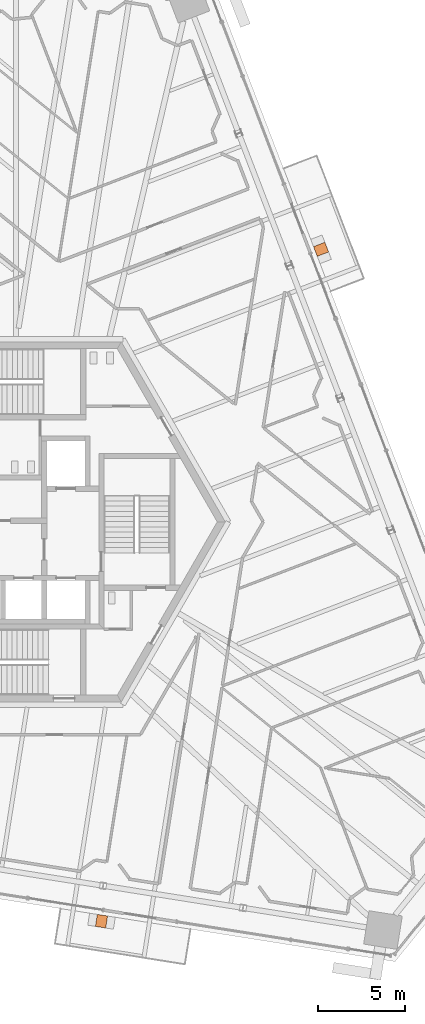
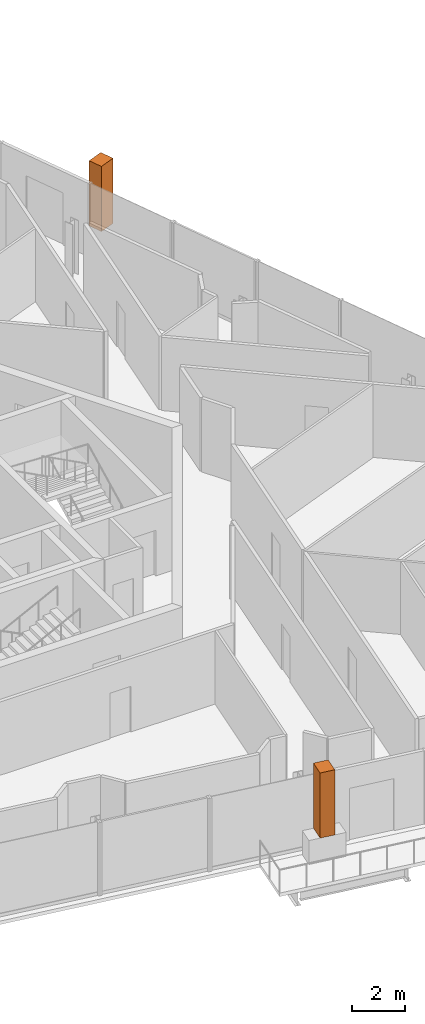
# One storey, part 23 of 23: 2 geographic elements.
"""IFC4 building model written with IfcOpenShell, lengths in metres."""

import ifcopenshell
import ifcopenshell.guid

model = None  # the IFC model being written
_history = None  # IfcOwnerHistory: only IFC2X3 demands one
_inside = {}  # id of a spatial element -> (the spatial element, [elements in it])
_under = {}  # id of a project, library or spatial element -> (it, [spatial elements below it])
_declared = {}  # id of a project -> (the project, [libraries it declares])
_typed = {}  # id of a type object -> (the type object, [elements of that type])
_made_of = {}  # id of a material, layer set ... -> (it, [elements and type objects made of it])


def new_model(schema):
    """Start an empty IFC model of exactly this schema.

    Asked for "IFC4X3", IfcOpenShell would pick the latest addendum, in which some entities
    have other attributes; the version numbers below select the first issue.
    IFC2X3 requires an IfcOwnerHistory on every rooted entity: one is made here for all.
    """
    global model, _history
    if schema == "IFC4X3":
        model = ifcopenshell.file(schema_version=(4, 3, 0, 0))
    else:
        model = ifcopenshell.file(schema=schema)
    _inside.clear()
    _under.clear()
    _declared.clear()
    _typed.clear()
    _made_of.clear()
    _history = None
    if model.schema == "IFC2X3":
        org = make("IfcOrganization", Name="unknown")
        user = make(
            "IfcPersonAndOrganization",
            ThePerson=make("IfcPerson", FamilyName="unknown"),
            TheOrganization=org,
        )
        app = make(
            "IfcApplication",
            ApplicationDeveloper=org,
            Version="unknown",
            ApplicationFullName="unknown",
            ApplicationIdentifier="unknown",
        )
        _history = make(
            "IfcOwnerHistory",
            OwningUser=user,
            OwningApplication=app,
            ChangeAction="ADDED",
            CreationDate=0,
        )
    return model


def make(cls, **values):
    """One entity of the class cls with the attributes given. An attribute that is None is left unset."""
    return model.create_entity(
        cls, **{name: value for name, value in values.items() if value is not None}
    )


def rooted(cls, **values):
    """An entity with a GlobalId (a new one), such as an element, a storey or a relation."""
    return make(cls, GlobalId=ifcopenshell.guid.new(), OwnerHistory=_history, **values)


def si_unit(unit_type, name, prefix=None):
    """IfcSIUnit, for example si_unit("LENGTHUNIT", "METRE", prefix="MILLI")."""
    return make("IfcSIUnit", UnitType=unit_type, Prefix=prefix, Name=name)


def assignment(units):
    """IfcUnitAssignment: the units of a project."""
    return None if units is None else make("IfcUnitAssignment", Units=units)


def point(xyz):
    """IfcCartesianPoint."""
    return None if xyz is None else make("IfcCartesianPoint", Coordinates=xyz)


def direction(xyz):
    """IfcDirection."""
    return None if xyz is None else make("IfcDirection", DirectionRatios=xyz)


def frame(location, z_axis=None, x_axis=None):
    """IfcAxis2Placement3D, a coordinate frame: its origin and axes. An axis left out is left unset."""
    return make(
        "IfcAxis2Placement3D",
        Location=point(location),
        Axis=direction(z_axis),
        RefDirection=direction(x_axis),
    )


def frame_2d(location, x_axis=None):
    """IfcAxis2Placement2D, a coordinate frame in the plane: its origin and x axis."""
    return make(
        "IfcAxis2Placement2D", Location=point(location), RefDirection=direction(x_axis)
    )


def origin():
    """The frame at (0, 0, 0) with its axes left unset."""
    return frame((0.0, 0.0, 0.0))


def origin_2d():
    """The frame at (0, 0) in the plane with its x axis left unset."""
    return frame_2d((0.0, 0.0))


def place(relative_to, where):
    """IfcLocalPlacement: puts the frame where relative to a parent placement (None: the world)."""
    return make(
        "IfcLocalPlacement", PlacementRelTo=relative_to, RelativePlacement=where
    )


def context(
    kind, dimensions, precision=None, world=None, true_north=None, identifier=None
):
    """IfcGeometricRepresentationContext, for example the 3D "Model" context."""
    return make(
        "IfcGeometricRepresentationContext",
        ContextIdentifier=identifier,
        ContextType=kind,
        CoordinateSpaceDimension=dimensions,
        Precision=precision,
        WorldCoordinateSystem=world,
        TrueNorth=true_north,
    )


def subcontext(parent, identifier, kind, view, scale=None):
    """IfcGeometricRepresentationSubContext, for example "Body" below "Model"."""
    return make(
        "IfcGeometricRepresentationSubContext",
        ContextIdentifier=identifier,
        ContextType=kind,
        ParentContext=parent,
        TargetScale=scale,
        TargetView=view,
    )


def project(units=None, contexts=None):
    """IfcProject with its units and contexts."""
    return rooted(
        "IfcProject",
        Name="project",
        RepresentationContexts=contexts,
        UnitsInContext=assignment(units),
    )


def spatial(cls, under=None, at=None, **own):
    """A site, building, storey or space (cls), placed at a placement, below another one or the project."""
    s = rooted(cls, ObjectPlacement=at, **own)
    if under is not None:
        _under.setdefault(under.id(), (under, []))[1].append(s)
    return s


def profile(cls, at=None, kind="AREA", **sizes):
    """A parametric profile (cls). Its sizes go by their IFC names, for example OverallWidth=200.0."""
    return make(cls, ProfileType=kind, Position=at, **sizes)


def rectangle(**sizes):
    """IfcRectangleProfileDef."""
    return profile("IfcRectangleProfileDef", **sizes)


def extrude(swept, where, along, depth):
    """IfcExtrudedAreaSolid: the profile swept, set in the frame where, extruded along a direction by depth."""
    return make(
        "IfcExtrudedAreaSolid",
        SweptArea=swept,
        Position=where,
        ExtrudedDirection=direction(along),
        Depth=depth,
    )


def shape(context_of_items, identifier, shape_type, items):
    """IfcShapeRepresentation: the items that make up one representation, for example the "Body"."""
    return make(
        "IfcShapeRepresentation",
        ContextOfItems=context_of_items,
        RepresentationIdentifier=identifier,
        RepresentationType=shape_type,
        Items=items,
    )


def source(mapping_origin, context_of_items, identifier, shape_type, items):
    """IfcRepresentationMap: a shape defined once, which mapped items show again and again."""
    return make(
        "IfcRepresentationMap",
        MappingOrigin=mapping_origin,
        MappedRepresentation=shape(context_of_items, identifier, shape_type, items),
    )


def transform(
    local_origin,
    x_axis=None,
    y_axis=None,
    z_axis=None,
    scale=None,
    scale2=None,
    scale3=None,
    uniform=True,
):
    """IfcCartesianTransformationOperator3D, or its non-uniform kind. x_axis, y_axis, z_axis: its Axis1, 2, 3."""
    if uniform:
        return make(
            "IfcCartesianTransformationOperator3D",
            Axis1=direction(x_axis),
            Axis2=direction(y_axis),
            LocalOrigin=point(local_origin),
            Scale=scale,
            Axis3=direction(z_axis),
        )
    return make(
        "IfcCartesianTransformationOperator3DnonUniform",
        Axis1=direction(x_axis),
        Axis2=direction(y_axis),
        LocalOrigin=point(local_origin),
        Scale=scale,
        Axis3=direction(z_axis),
        Scale2=scale2,
        Scale3=scale3,
    )


def mapped(mapping_source, mapping_target):
    """IfcMappedItem: shows the shape of a source again, moved by a transform."""
    return make(
        "IfcMappedItem", MappingSource=mapping_source, MappingTarget=mapping_target
    )


def material(Name=None, Category=None):
    """IfcMaterial."""
    return make("IfcMaterial", Name=Name, Category=Category)


def made_of(thing, what):
    """Note that an element or type object is made of a material, layer set ...; save() writes the relation."""
    if what is not None:
        _made_of.setdefault(what.id(), (what, []))[1].append(thing)
    return thing


def type_object(cls, material=None, **own):
    """A type object (cls), such as IfcWallType, which elements share."""
    return made_of(rooted(cls, **own), material)


def element(
    cls,
    number,
    at=None,
    inside=None,
    cuts=None,
    type_object=None,
    material=None,
    context=None,
    identifier="Body",
    shape_type=None,
    held_by="IfcProductDefinitionShape",
    body=None,
    shapes=None,
    **own,
):
    """One element of the class cls, such as IfcWall. Its Tag is "e" and its number.

    at: its placement. inside: the storey or other place that contains it. cuts: it is an
    opening in that element (IfcRelVoidsElement). A single representation is given by context,
    identifier, shape_type and body (its items); several are given by shapes. held_by: the class
    of the entity that holds the representations. save() writes the other relations.
    """
    e = rooted(cls, Tag="e%d" % number, ObjectPlacement=at, **own)
    if body is not None:
        shapes = [shape(context, identifier, shape_type, body)]
    if shapes is not None:
        e.Representation = make(held_by, Representations=shapes)
    if inside is not None:
        _inside.setdefault(inside.id(), (inside, []))[1].append(e)
    if cuts is not None:
        rooted(
            "IfcRelVoidsElement", RelatingBuildingElement=cuts, RelatedOpeningElement=e
        )
    if type_object is not None:
        _typed.setdefault(type_object.id(), (type_object, []))[1].append(e)
    return made_of(e, material)


def aggregate(whole, parts):
    """IfcRelAggregates: a whole, such as a stair, and the parts it consists of."""
    return rooted("IfcRelAggregates", RelatingObject=whole, RelatedObjects=parts)


def save(model, path):
    """Write the relations noted so far, then the file.

    IfcRelAggregates (storeys below a building ...), IfcRelContainedInSpatialStructure (elements
    in a storey), IfcRelDefinesByType, IfcRelAssociatesMaterial and IfcRelDeclares: one each for
    every whole, place, type object, material and project.
    """
    for whole, parts in _under.values():
        aggregate(whole, parts)
    for where, things in _inside.values():
        rooted(
            "IfcRelContainedInSpatialStructure",
            RelatedElements=things,
            RelatingStructure=where,
        )
    for kind, things in _typed.values():
        rooted("IfcRelDefinesByType", RelatedObjects=things, RelatingType=kind)
    for what, things in _made_of.values():
        rooted("IfcRelAssociatesMaterial", RelatedObjects=things, RelatingMaterial=what)
    for by, libraries in _declared.values():
        rooted("IfcRelDeclares", RelatingContext=by, RelatedDefinitions=libraries)
    model.write(path)


model = new_model("IFC4")

# Units and contexts
model_context = context("Model", 3, precision=1e-05, world=origin(), true_north=direction((0.0, 1.0)))
body_context = subcontext(model_context, "Body", "Model", "MODEL_VIEW")
ifc_project = project(units=[si_unit("LENGTHUNIT", "METRE"), si_unit("AREAUNIT", "SQUARE_METRE"), si_unit("VOLUMEUNIT", "CUBIC_METRE"), si_unit("PLANEANGLEUNIT", "RADIAN"), si_unit("MASSUNIT", "GRAM", prefix="KILO")], contexts=[model_context])

# Site, building, storey
site_placement = place(None, origin())
site = spatial("IfcSite", under=ifc_project, at=site_placement, CompositionType="ELEMENT")
building_placement = place(site_placement, origin())
building = spatial("IfcBuilding", under=site, at=building_placement, Name="Triune Harvest Tower", CompositionType="ELEMENT")
storey_placement = place(building_placement, frame((0.0, 0.0, 171.300048828125)))
storey = spatial("IfcBuildingStorey", under=building, at=storey_placement, Name="L44", CompositionType="ELEMENT", Elevation=171.300048828125)

# Geographic elements
ifc_material = material(Name="TREE-1 tree")
geographic_element_type = type_object("IfcGeographicElementType", Name="TREE-1 tree", PredefinedType="USERDEFINED", material=ifc_material)
shared_shape = source(origin(), body_context, "Body", "SweptSolid", [
    extrude(rectangle(XDim=0.60009765625, YDim=0.699951171875, at=origin_2d()), origin(), (0.0, 0.0, 1.0), 3.0),
])
for number, where, z_axis, x_axis, name in (
    (1, (17.528076171875, 15.72900390625, 1.099853515625), (0.0, 0.0, 1.0), (-0.35836927228, 0.933579918746, 0.0), "Tree B4-F1 L44.9a"),
    (2, (4.857666015625, -23.044189453125, 1.099853515625), (0.0, 0.0, 1.0), (0.987688259912, -0.156434974453, 0.0), "Tree B4-F5 L44.9a"),
):
    element("IfcGeographicElement", number, at=place(storey_placement, frame(where, z_axis=z_axis, x_axis=x_axis)), inside=storey, type_object=geographic_element_type, Name=name, ObjectType="TREE", PredefinedType="USERDEFINED", context=body_context, shape_type="MappedRepresentation", body=[
        mapped(shared_shape, transform((0.0, 0.0, 0.0), scale=1.0)),
    ])

save(model, "model.ifc")
